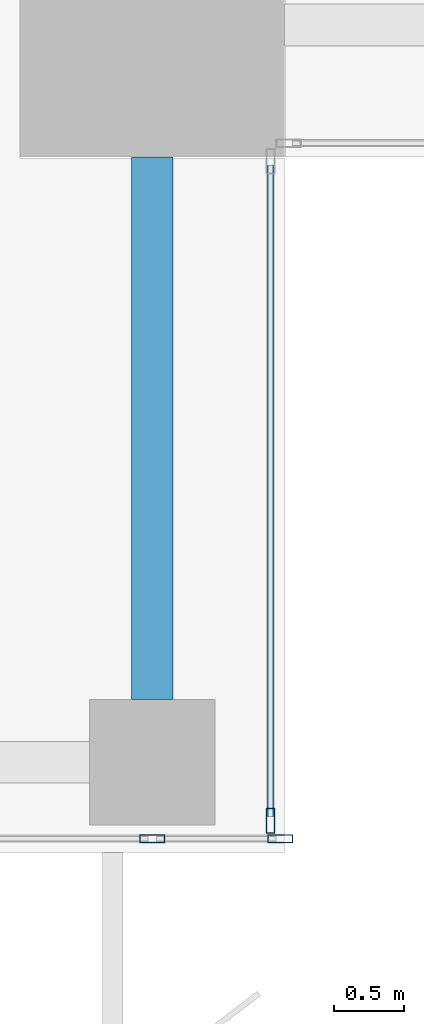
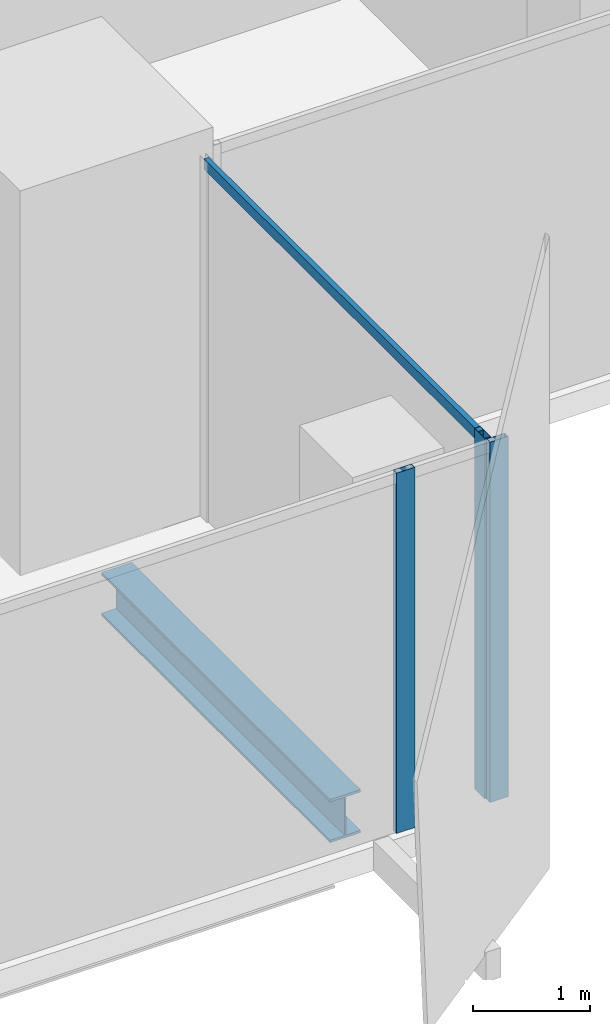
# One storey, part 8 of 35: 4 members, 1 beam, 2 elements without a shape of their own.
"""IFC4 building model written with IfcOpenShell, lengths in metres."""

from ifc_helpers import new_model, si_unit, direction, frame, origin, origin_2d, place, context, subcontext, project, spatial, hollow_rectangle, i_section, extrude, source, transform, mapped, material, material_profile, profile_set, type_object, element, aggregate, save


model = new_model("IFC4")

# Units and contexts
model_context = context("Model", 3, precision=1e-05, world=origin(), true_north=direction((0.0, 1.0)))
body_context = subcontext(model_context, "Body", "Model", "MODEL_VIEW")
ifc_project = project(units=[si_unit("LENGTHUNIT", "METRE"), si_unit("AREAUNIT", "SQUARE_METRE"), si_unit("VOLUMEUNIT", "CUBIC_METRE"), si_unit("PLANEANGLEUNIT", "RADIAN"), si_unit("MASSUNIT", "GRAM", prefix="KILO")], contexts=[model_context])

# Site, building, storey
site_placement = place(None, origin())
site = spatial("IfcSite", under=ifc_project, at=site_placement, CompositionType="ELEMENT")
building_placement = place(site_placement, origin())
building = spatial("IfcBuilding", under=site, at=building_placement, Name="Khomas Fold Tower", CompositionType="ELEMENT")
storey_placement = place(building_placement, frame((0.0, 0.0, 258.199951171875)))
storey = spatial("IfcBuildingStorey", under=building, at=storey_placement, Name="L58", CompositionType="ELEMENT", Elevation=258.199951171875)

# Beam
ifc_material_1 = material(Name="Steel S355", Category="steel")
ifc_material_profile_1 = material_profile(ifc_material_1, i_section(OverallWidth=0.300048828125, OverallDepth=0.449951171875, WebThickness=0.013916015625, FlangeThickness=0.02587890625, at=origin_2d()), Name="HE 450 B")
ifc_profile_set_1 = profile_set([ifc_material_profile_1], Name="Steel S355")
beam_type = type_object("IfcBeamType", Name="HE 450 B spandrel SB4", PredefinedType="SPANDREL", material=ifc_profile_set_1)
shared_shape_1 = source(origin(), body_context, "Body", "SweptSolid", [
    extrude(i_section(OverallWidth=0.300048828125, OverallDepth=0.449951171875, WebThickness=0.013916015625, FlangeThickness=0.02587890625, at=origin_2d()), origin(), (0.0, 0.0, 1.0), 3.89990234375),
])
beam_placement = place(storey_placement, frame((43.550048828125, 5.60009765625, -0.474853515625), z_axis=(0.0, 1.0, 0.0), x_axis=(-1.0, 0.0, 0.0)))
element("IfcBeam", 1, at=beam_placement, inside=storey, type_object=beam_type, Name="SB4", PredefinedType="SPANDREL", context=body_context, shape_type="MappedRepresentation", body=[
    mapped(shared_shape_1, transform((0.0, 0.0, 0.0))),
])

# Curtain wall, members
ifc_material_2 = material(Name="Aluminium framed double glazing", Category="aluminium")
curtain_wall_type = type_object("IfcCurtainWallType", Name="SK-Unitised clear-glass wall, office floors CW2", PredefinedType="NOTDEFINED", material=ifc_material_2)
curtain_wall_1_placement = place(storey_placement, origin())
curtain_wall_1 = element("IfcCurtainWall", 2, at=curtain_wall_1_placement, inside=storey, type_object=curtain_wall_type, Name="CW2 run L58 00-0", PredefinedType="NOTDEFINED")
ifc_material_3 = material(Name="Aluminium", Category="aluminium")
ifc_material_profile_2 = material_profile(ifc_material_3, hollow_rectangle(XDim=0.06005859375, YDim=0.179931640625, WallThickness=0.00390625, at=origin_2d()), Name="SK-Unitised clear-glass wall, office floors mullion CW2-M")
ifc_profile_set_2 = profile_set([ifc_material_profile_2], Name="Aluminium")
member_type_1 = type_object("IfcMemberType", Name="SK-Unitised clear-glass wall, office floors mullion CW2-M", PredefinedType="MULLION", material=ifc_profile_set_2)
shared_shape_2 = source(origin(), body_context, "Body", "SweptSolid", [
    extrude(hollow_rectangle(XDim=0.06005859375, YDim=0.179931640625, WallThickness=0.00390625, at=origin_2d()), origin(), (0.0, 0.0, 1.0), 3.75),
])
member_1_placement = place(storey_placement, frame((43.550048828125, 4.60009765625, 0.0), z_axis=(0.0, 0.0, 1.0), x_axis=(0.0, 1.0, 0.0)))
member_1 = element("IfcMember", 3, at=member_1_placement, type_object=member_type_1, Name="CW2 mullion 6", PredefinedType="MULLION", context=body_context, shape_type="MappedRepresentation", body=[
    mapped(shared_shape_2, transform((0.0, 0.0, 0.0))),
])
member_2_placement = place(storey_placement, frame((44.469970703125, 4.60009765625, 0.0), z_axis=(0.0, 0.0, 1.0), x_axis=(0.0, 1.0, 0.0)))
member_2 = element("IfcMember", 4, at=member_2_placement, type_object=member_type_1, Name="CW2 mullion 7", PredefinedType="MULLION", context=body_context, shape_type="MappedRepresentation", body=[
    mapped(shared_shape_2, transform((0.0, 0.0, 0.0))),
])
aggregate(curtain_wall_1, [member_1, member_2])

curtain_wall_2_placement = place(storey_placement, origin())
curtain_wall_2 = element("IfcCurtainWall", 5, at=curtain_wall_2_placement, inside=storey, type_object=curtain_wall_type, Name="CW2 corner return L58 01", PredefinedType="NOTDEFINED")
member_3_placement = place(storey_placement, frame((44.39990234375, 4.72998046875, 0.0), z_axis=(0.0, 0.0, 1.0), x_axis=(-1.0, 0.0, 0.0)))
member_3 = element("IfcMember", 6, at=member_3_placement, type_object=member_type_1, Name="CW2 mullion 1", PredefinedType="MULLION", context=body_context, shape_type="MappedRepresentation", body=[
    mapped(shared_shape_2, transform((0.0, 0.0, 0.0))),
])
ifc_material_4 = material(Name="Aluminium", Category="aluminium")
ifc_material_profile_3 = material_profile(ifc_material_4, hollow_rectangle(XDim=0.050048828125, YDim=0.110107421875, WallThickness=0.00390625, at=origin_2d()), Name="SK-Unitised clear-glass wall, office floors transom CW2-T")
ifc_profile_set_3 = profile_set([ifc_material_profile_3], Name="Aluminium")
member_type_2 = type_object("IfcMemberType", Name="SK-Unitised clear-glass wall, office floors transom CW2-T", PredefinedType="USERDEFINED", material=ifc_profile_set_3)
shared_shape_3 = source(origin(), body_context, "Body", "SweptSolid", [
    extrude(hollow_rectangle(XDim=0.050048828125, YDim=0.110107421875, WallThickness=0.00390625, at=origin_2d()), origin(), (0.0, 0.0, 1.0), 4.679931640625),
])
member_4_placement = place(storey_placement, frame((44.39990234375, 4.760009765625, 3.695068359375), z_axis=(0.0, 1.0, 0.0), x_axis=(-1.0, 0.0, 0.0)))
member_4 = element("IfcMember", 7, at=member_4_placement, type_object=member_type_2, Name="CW2 transom 1", ObjectType="TRANSOM", PredefinedType="USERDEFINED", context=body_context, shape_type="MappedRepresentation", body=[
    mapped(shared_shape_3, transform((0.0, 0.0, 0.0))),
])
aggregate(curtain_wall_2, [member_3, member_4])

save(model, "model.ifc")
